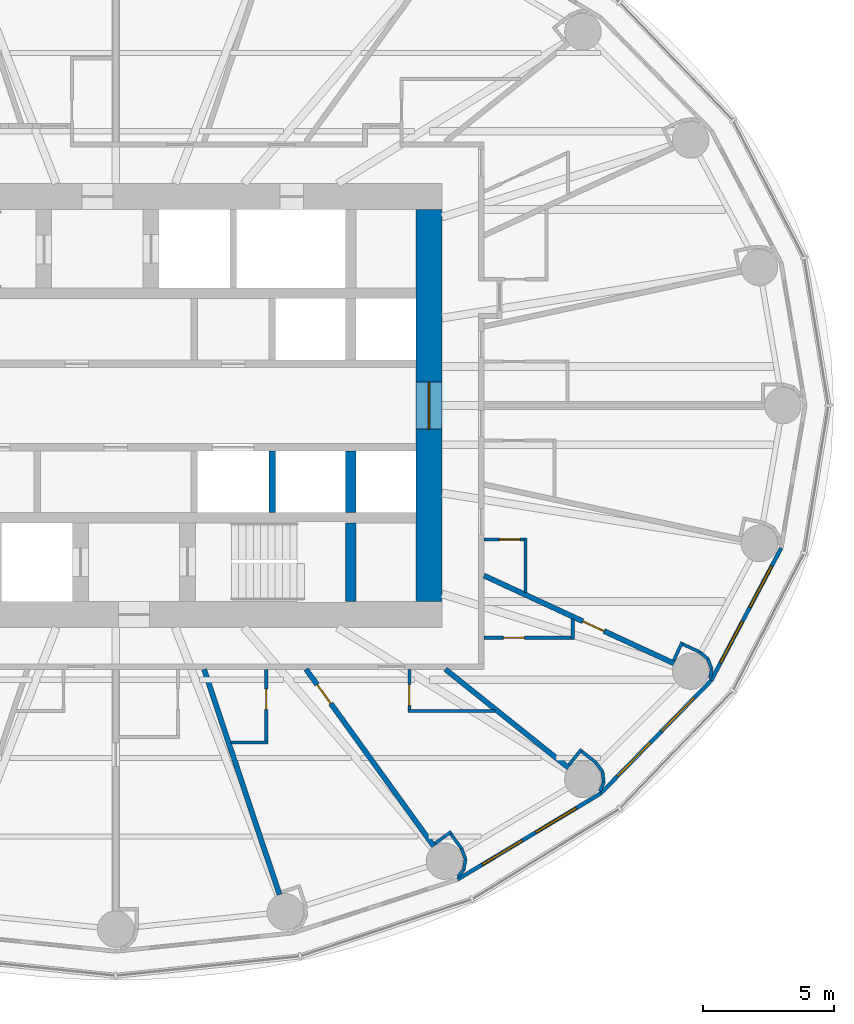
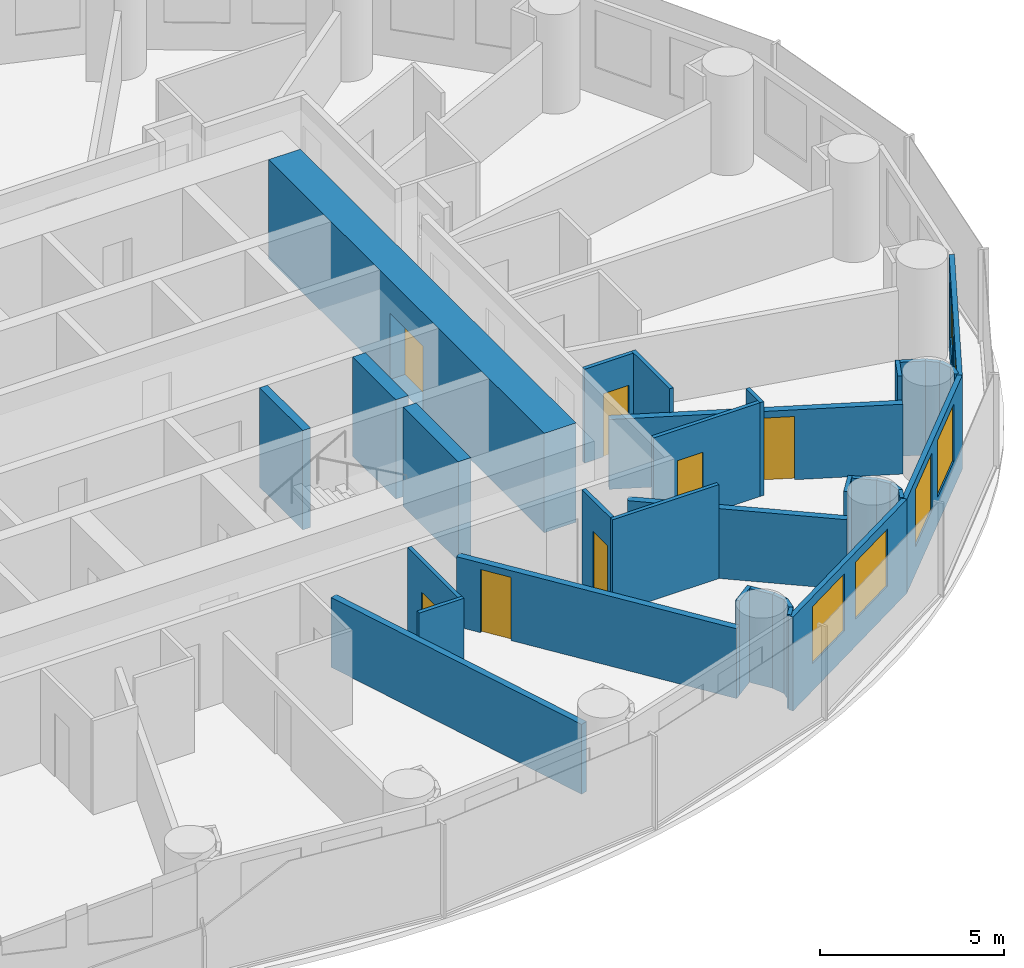
# One storey, part 10 of 16: 34 walls, 7 doors, 6 windows, 13 openings.
"""IFC4 building model written with IfcOpenShell, lengths in metres."""

import ifcopenshell
import ifcopenshell.guid

model = None  # the IFC model being written
_history = None  # IfcOwnerHistory: only IFC2X3 demands one
_inside = {}  # id of a spatial element -> (the spatial element, [elements in it])
_under = {}  # id of a project, library or spatial element -> (it, [spatial elements below it])
_declared = {}  # id of a project -> (the project, [libraries it declares])
_typed = {}  # id of a type object -> (the type object, [elements of that type])
_made_of = {}  # id of a material, layer set ... -> (it, [elements and type objects made of it])


def new_model(schema):
    """Start an empty IFC model of exactly this schema.

    Asked for "IFC4X3", IfcOpenShell would pick the latest addendum, in which some entities
    have other attributes; the version numbers below select the first issue.
    IFC2X3 requires an IfcOwnerHistory on every rooted entity: one is made here for all.
    """
    global model, _history
    if schema == "IFC4X3":
        model = ifcopenshell.file(schema_version=(4, 3, 0, 0))
    else:
        model = ifcopenshell.file(schema=schema)
    _inside.clear()
    _under.clear()
    _declared.clear()
    _typed.clear()
    _made_of.clear()
    _history = None
    if model.schema == "IFC2X3":
        org = make("IfcOrganization", Name="unknown")
        user = make(
            "IfcPersonAndOrganization",
            ThePerson=make("IfcPerson", FamilyName="unknown"),
            TheOrganization=org,
        )
        app = make(
            "IfcApplication",
            ApplicationDeveloper=org,
            Version="unknown",
            ApplicationFullName="unknown",
            ApplicationIdentifier="unknown",
        )
        _history = make(
            "IfcOwnerHistory",
            OwningUser=user,
            OwningApplication=app,
            ChangeAction="ADDED",
            CreationDate=0,
        )
    return model


def make(cls, **values):
    """One entity of the class cls with the attributes given. An attribute that is None is left unset."""
    return model.create_entity(
        cls, **{name: value for name, value in values.items() if value is not None}
    )


def rooted(cls, **values):
    """An entity with a GlobalId (a new one), such as an element, a storey or a relation."""
    return make(cls, GlobalId=ifcopenshell.guid.new(), OwnerHistory=_history, **values)


def si_unit(unit_type, name, prefix=None):
    """IfcSIUnit, for example si_unit("LENGTHUNIT", "METRE", prefix="MILLI")."""
    return make("IfcSIUnit", UnitType=unit_type, Prefix=prefix, Name=name)


def assignment(units):
    """IfcUnitAssignment: the units of a project."""
    return None if units is None else make("IfcUnitAssignment", Units=units)


def point(xyz):
    """IfcCartesianPoint."""
    return None if xyz is None else make("IfcCartesianPoint", Coordinates=xyz)


def direction(xyz):
    """IfcDirection."""
    return None if xyz is None else make("IfcDirection", DirectionRatios=xyz)


def frame(location, z_axis=None, x_axis=None):
    """IfcAxis2Placement3D, a coordinate frame: its origin and axes. An axis left out is left unset."""
    return make(
        "IfcAxis2Placement3D",
        Location=point(location),
        Axis=direction(z_axis),
        RefDirection=direction(x_axis),
    )


def frame_2d(location, x_axis=None):
    """IfcAxis2Placement2D, a coordinate frame in the plane: its origin and x axis."""
    return make(
        "IfcAxis2Placement2D", Location=point(location), RefDirection=direction(x_axis)
    )


def origin():
    """The frame at (0, 0, 0) with its axes left unset."""
    return frame((0.0, 0.0, 0.0))


def place(relative_to, where):
    """IfcLocalPlacement: puts the frame where relative to a parent placement (None: the world)."""
    return make(
        "IfcLocalPlacement", PlacementRelTo=relative_to, RelativePlacement=where
    )


def context(
    kind, dimensions, precision=None, world=None, true_north=None, identifier=None
):
    """IfcGeometricRepresentationContext, for example the 3D "Model" context."""
    return make(
        "IfcGeometricRepresentationContext",
        ContextIdentifier=identifier,
        ContextType=kind,
        CoordinateSpaceDimension=dimensions,
        Precision=precision,
        WorldCoordinateSystem=world,
        TrueNorth=true_north,
    )


def subcontext(parent, identifier, kind, view, scale=None):
    """IfcGeometricRepresentationSubContext, for example "Body" below "Model"."""
    return make(
        "IfcGeometricRepresentationSubContext",
        ContextIdentifier=identifier,
        ContextType=kind,
        ParentContext=parent,
        TargetScale=scale,
        TargetView=view,
    )


def project(units=None, contexts=None):
    """IfcProject with its units and contexts."""
    return rooted(
        "IfcProject",
        Name="project",
        RepresentationContexts=contexts,
        UnitsInContext=assignment(units),
    )


def spatial(cls, under=None, at=None, **own):
    """A site, building, storey or space (cls), placed at a placement, below another one or the project."""
    s = rooted(cls, ObjectPlacement=at, **own)
    if under is not None:
        _under.setdefault(under.id(), (under, []))[1].append(s)
    return s


def profile(cls, at=None, kind="AREA", **sizes):
    """A parametric profile (cls). Its sizes go by their IFC names, for example OverallWidth=200.0."""
    return make(cls, ProfileType=kind, Position=at, **sizes)


def rectangle(**sizes):
    """IfcRectangleProfileDef."""
    return profile("IfcRectangleProfileDef", **sizes)


def extrude(swept, where, along, depth):
    """IfcExtrudedAreaSolid: the profile swept, set in the frame where, extruded along a direction by depth."""
    return make(
        "IfcExtrudedAreaSolid",
        SweptArea=swept,
        Position=where,
        ExtrudedDirection=direction(along),
        Depth=depth,
    )


def shape(context_of_items, identifier, shape_type, items):
    """IfcShapeRepresentation: the items that make up one representation, for example the "Body"."""
    return make(
        "IfcShapeRepresentation",
        ContextOfItems=context_of_items,
        RepresentationIdentifier=identifier,
        RepresentationType=shape_type,
        Items=items,
    )


def material(Name=None, Category=None):
    """IfcMaterial."""
    return make("IfcMaterial", Name=Name, Category=Category)


def layer(
    of_material, thickness, ventilated=None, Name=None, Category=None, Priority=None
):
    """IfcMaterialLayer: one layer of a wall or slab, of a material (None: an air gap)."""
    return make(
        "IfcMaterialLayer",
        Material=of_material,
        LayerThickness=thickness,
        IsVentilated=ventilated,
        Name=Name,
        Category=Category,
        Priority=Priority,
    )


def layer_set(layers, Name=None):
    """IfcMaterialLayerSet."""
    return make("IfcMaterialLayerSet", MaterialLayers=layers, LayerSetName=Name)


def made_of(thing, what):
    """Note that an element or type object is made of a material, layer set ...; save() writes the relation."""
    if what is not None:
        _made_of.setdefault(what.id(), (what, []))[1].append(thing)
    return thing


def type_object(cls, material=None, **own):
    """A type object (cls), such as IfcWallType, which elements share."""
    return made_of(rooted(cls, **own), material)


def element(
    cls,
    number,
    at=None,
    inside=None,
    cuts=None,
    type_object=None,
    material=None,
    context=None,
    identifier="Body",
    shape_type=None,
    held_by="IfcProductDefinitionShape",
    body=None,
    shapes=None,
    **own,
):
    """One element of the class cls, such as IfcWall. Its Tag is "e" and its number.

    at: its placement. inside: the storey or other place that contains it. cuts: it is an
    opening in that element (IfcRelVoidsElement). A single representation is given by context,
    identifier, shape_type and body (its items); several are given by shapes. held_by: the class
    of the entity that holds the representations. save() writes the other relations.
    """
    e = rooted(cls, Tag="e%d" % number, ObjectPlacement=at, **own)
    if body is not None:
        shapes = [shape(context, identifier, shape_type, body)]
    if shapes is not None:
        e.Representation = make(held_by, Representations=shapes)
    if inside is not None:
        _inside.setdefault(inside.id(), (inside, []))[1].append(e)
    if cuts is not None:
        rooted(
            "IfcRelVoidsElement", RelatingBuildingElement=cuts, RelatedOpeningElement=e
        )
    if type_object is not None:
        _typed.setdefault(type_object.id(), (type_object, []))[1].append(e)
    return made_of(e, material)


def fill(opening, filler):
    """IfcRelFillsElement: the door or window that sits in an opening."""
    return rooted(
        "IfcRelFillsElement",
        RelatingOpeningElement=opening,
        RelatedBuildingElement=filler,
    )


def aggregate(whole, parts):
    """IfcRelAggregates: a whole, such as a stair, and the parts it consists of."""
    return rooted("IfcRelAggregates", RelatingObject=whole, RelatedObjects=parts)


def save(model, path):
    """Write the relations noted so far, then the file.

    IfcRelAggregates (storeys below a building ...), IfcRelContainedInSpatialStructure (elements
    in a storey), IfcRelDefinesByType, IfcRelAssociatesMaterial and IfcRelDeclares: one each for
    every whole, place, type object, material and project.
    """
    for whole, parts in _under.values():
        aggregate(whole, parts)
    for where, things in _inside.values():
        rooted(
            "IfcRelContainedInSpatialStructure",
            RelatedElements=things,
            RelatingStructure=where,
        )
    for kind, things in _typed.values():
        rooted("IfcRelDefinesByType", RelatedObjects=things, RelatingType=kind)
    for what, things in _made_of.values():
        rooted("IfcRelAssociatesMaterial", RelatedObjects=things, RelatingMaterial=what)
    for by, libraries in _declared.values():
        rooted("IfcRelDeclares", RelatingContext=by, RelatedDefinitions=libraries)
    model.write(path)


model = new_model("IFC4")

# Units and contexts
model_context = context("Model", 3, precision=1e-05, world=origin(), true_north=direction((0.0, 1.0)))
body_context = subcontext(model_context, "Body", "Model", "MODEL_VIEW")
ifc_project = project(units=[si_unit("LENGTHUNIT", "METRE"), si_unit("AREAUNIT", "SQUARE_METRE"), si_unit("VOLUMEUNIT", "CUBIC_METRE"), si_unit("PLANEANGLEUNIT", "RADIAN"), si_unit("MASSUNIT", "GRAM", prefix="KILO")], contexts=[model_context])

# Site, building, storey
site_placement = place(None, origin())
site = spatial("IfcSite", under=ifc_project, at=site_placement, CompositionType="ELEMENT")
building_placement = place(site_placement, origin())
building = spatial("IfcBuilding", under=site, at=building_placement, Name="Hankou Lantern Tower", CompositionType="ELEMENT")
storey_placement = place(building_placement, frame((0.0, 0.0, 73.800048828125)))
storey = spatial("IfcBuildingStorey", under=building, at=storey_placement, Name="L18", CompositionType="ELEMENT", Elevation=73.800048828125)

# Wall, opening, door
ifc_material_1 = material(Name="Concrete C60", Category="concrete")
ifc_layer_1 = layer(ifc_material_1, 1.0)
ifc_layer_set_1 = layer_set([ifc_layer_1], Name="Concrete C60")
wall_type_1 = type_object("IfcWallType", Name="CW1 CORE WALL 1000", PredefinedType="SHEAR", material=ifc_layer_set_1)
wall_1_placement = place(storey_placement, frame((12.0, -7.5, 0.0), z_axis=(0.0, 0.0, 1.0), x_axis=(0.0, 1.0, 0.0)))
wall_1 = element("IfcWall", 1, at=wall_1_placement, inside=storey, type_object=wall_type_1, Name="Core wall east L18", PredefinedType="SHEAR", context=body_context, shape_type="SweptSolid", body=[
    extrude(rectangle(XDim=15.0, YDim=1.0, at=frame_2d((7.5, 0.0))), origin(), (0.0, 0.0, 1.0), 3.300048828125),
])
opening_1_placement = place(wall_1_placement, frame((6.60009765625, 0.0, 0.0)))
opening_1 = element("IfcOpeningElement", 2, at=opening_1_placement, cuts=wall_1, Name="Opening D6", PredefinedType="OPENING", context=body_context, shape_type="SweptSolid", body=[
    extrude(rectangle(XDim=1.800048828125, YDim=2.199951171875, at=frame_2d((0.89990234375, 1.10009765625))), frame((0.0, 0.510009765625, 0.0), z_axis=(0.0, -1.0, 0.0), x_axis=(1.0, 0.0, 0.0)), (0.0, 0.0, 1.0), 1.02001953125),
])
ifc_material_2 = material(Name="Steel door leaf", Category="steel")
door_type_1 = type_object("IfcDoorType", Name="D6 LIFT LOBBY DOOR 1800X2200", OperationType="DOUBLE_DOOR_DOUBLE_SWING", PredefinedType="DOOR", material=ifc_material_2)
door_1_placement = place(opening_1_placement, origin())
door_1 = element("IfcDoor", 3, at=door_1_placement, inside=storey, type_object=door_type_1, Name="Lift lobby east door", OperationType="DOUBLE_DOOR_DOUBLE_SWING", OverallHeight=2.199951171875, OverallWidth=1.800048828125, PredefinedType="DOOR", context=body_context, shape_type="SweptSolid", body=[
    extrude(rectangle(XDim=1.800048828125, YDim=2.199951171875, at=frame_2d((0.89990234375, 1.10009765625))), frame((0.0, 0.02490234375, 0.0), z_axis=(0.0, -1.0, 0.0), x_axis=(1.0, 0.0, 0.0)), (0.0, 0.0, 1.0), 0.050048828125),
])
fill(opening_1, door_1)

# Walls
ifc_material_3 = material(Name="Concrete C60", Category="concrete")
ifc_layer_2 = layer(ifc_material_3, 0.39990234375)
ifc_layer_set_2 = layer_set([ifc_layer_2], Name="Concrete C60")
wall_type_2 = type_object("IfcWallType", Name="CW4 CORE CROSS WALL 400", PredefinedType="SHEAR", material=ifc_layer_set_2)
wall_2_placement = place(storey_placement, frame((9.0, -4.10009765625, 0.0), z_axis=(0.0, 0.0, 1.0), x_axis=(0.0, 1.0, 0.0)))
element("IfcWall", 4, at=wall_2_placement, inside=storey, type_object=wall_type_2, Name="Core strip wall L18", PredefinedType="SHEAR", context=body_context, shape_type="SweptSolid", body=[
    extrude(rectangle(XDim=2.35009765625, YDim=0.39990234375, at=frame_2d((1.175048828125, 0.0))), origin(), (0.0, 0.0, 1.0), 3.300048828125),
])
wall_3_placement = place(storey_placement, frame((9.0, -7.5, 0.0), z_axis=(0.0, 0.0, 1.0), x_axis=(0.0, 1.0, 0.0)))
element("IfcWall", 5, at=wall_3_placement, inside=storey, type_object=wall_type_2, Name="Core strip wall L18", PredefinedType="SHEAR", context=body_context, shape_type="SweptSolid", body=[
    extrude(rectangle(XDim=3.0, YDim=0.39990234375, at=frame_2d((1.5, 0.0))), origin(), (0.0, 0.0, 1.0), 3.300048828125),
])

# Wall, openings, windows
ifc_material_4 = material(Name="Aluminium spandrel panel on steel studs", Category="steel")
ifc_layer_3 = layer(ifc_material_4, 0.14990234375)
ifc_layer_set_3 = layer_set([ifc_layer_3], Name="Aluminium spandrel panel on steel studs")
wall_type_3 = type_object("IfcWallType", Name="EW1 INNER SKIN WALL 150", PredefinedType="ELEMENTEDWALL", material=ifc_layer_set_3)
wall_4_placement = place(storey_placement, frame((13.096435546875, -18.14697265625, 0.0), z_axis=(0.0, 0.0, 1.0), x_axis=(0.856983180864, 0.515344377787, 0.0)))
wall_4 = element("IfcWall", 6, at=wall_4_placement, inside=storey, type_object=wall_type_3, Name="Inner skin R21-R22 L18", PredefinedType="ELEMENTEDWALL", context=body_context, shape_type="SweptSolid", body=[
    extrude(rectangle(XDim=6.386474609375, YDim=0.14990234375, at=frame_2d((3.193359375, 0.0))), origin(), (0.0, 0.0, 1.0), 3.119873046875),
])
opening_2_placement = place(wall_4_placement, frame((1.09326171875, 0.0, 0.89990234375)))
opening_2 = element("IfcOpeningElement", 7, at=opening_2_placement, cuts=wall_4, Name="Opening W1", PredefinedType="OPENING", context=body_context, shape_type="SweptSolid", body=[
    extrude(rectangle(XDim=1.800048828125, YDim=1.89990234375, at=frame_2d((0.89990234375, 0.949951171875))), frame((0.0, 0.0849609375, 0.0), z_axis=(0.0, -1.0, 0.0), x_axis=(1.0, 0.0, 0.0)), (0.0, 0.0, 1.0), 0.169921875),
])
opening_3_placement = place(wall_4_placement, frame((3.4931640625, 0.0, 0.89990234375)))
opening_3 = element("IfcOpeningElement", 8, at=opening_3_placement, cuts=wall_4, Name="Opening W1", PredefinedType="OPENING", context=body_context, shape_type="SweptSolid", body=[
    extrude(rectangle(XDim=1.800048828125, YDim=1.89990234375, at=frame_2d((0.89990234375, 0.949951171875))), frame((0.0, 0.0849609375, 0.0), z_axis=(0.0, -1.0, 0.0), x_axis=(1.0, 0.0, 0.0)), (0.0, 0.0, 1.0), 0.169921875),
])
ifc_material_5 = material(Name="Aluminium framed double glazed window", Category="aluminium")
window_type = type_object("IfcWindowType", Name="W1 GUEST ROOM WINDOW 1800X1900", PartitioningType="DOUBLE_PANEL_VERTICAL", PredefinedType="WINDOW", material=ifc_material_5)
window_1_placement = place(opening_2_placement, origin())
window_1 = element("IfcWindow", 9, at=window_1_placement, inside=storey, type_object=window_type, Name="Window R21.1 L18", OverallHeight=1.89990234375, OverallWidth=1.800048828125, PartitioningType="SINGLE_PANEL", PredefinedType="WINDOW", context=body_context, shape_type="SweptSolid", body=[
    extrude(rectangle(XDim=1.800048828125, YDim=1.89990234375, at=frame_2d((0.89990234375, 0.949951171875))), frame((0.0, 0.030029296875, 0.0), z_axis=(0.0, -1.0, 0.0), x_axis=(1.0, 0.0, 0.0)), (0.0, 0.0, 1.0), 0.06005859375),
])
fill(opening_2, window_1)
window_2_placement = place(opening_3_placement, origin())
window_2 = element("IfcWindow", 10, at=window_2_placement, inside=storey, type_object=window_type, Name="Window R21.2 L18", OverallHeight=1.89990234375, OverallWidth=1.800048828125, PartitioningType="SINGLE_PANEL", PredefinedType="WINDOW", context=body_context, shape_type="SweptSolid", body=[
    extrude(rectangle(XDim=1.800048828125, YDim=1.89990234375, at=frame_2d((0.89990234375, 0.949951171875))), frame((0.0, 0.030029296875, 0.0), z_axis=(0.0, -1.0, 0.0), x_axis=(1.0, 0.0, 0.0)), (0.0, 0.0, 1.0), 0.06005859375),
])
fill(opening_3, window_2)

wall_5_placement = place(storey_placement, frame((18.569580078125, -14.855712890625, 0.0), z_axis=(0.0, 0.0, 1.0), x_axis=(0.699602905915, 0.714531856557, 0.0)))
wall_5 = element("IfcWall", 11, at=wall_5_placement, inside=storey, type_object=wall_type_3, Name="Inner skin R22-R23 L18", PredefinedType="ELEMENTEDWALL", context=body_context, shape_type="SweptSolid", body=[
    extrude(rectangle(XDim=6.05078125, YDim=0.14990234375, at=frame_2d((3.025390625, 0.0))), origin(), (0.0, 0.0, 1.0), 3.119873046875),
])
opening_4_placement = place(wall_5_placement, frame((0.925537109375, 0.0, 0.89990234375)))
opening_4 = element("IfcOpeningElement", 12, at=opening_4_placement, cuts=wall_5, Name="Opening W1", PredefinedType="OPENING", context=body_context, shape_type="SweptSolid", body=[
    extrude(rectangle(XDim=1.800048828125, YDim=1.89990234375, at=frame_2d((0.89990234375, 0.949951171875))), frame((0.0, 0.0849609375, 0.0), z_axis=(0.0, -1.0, 0.0), x_axis=(1.0, 0.0, 0.0)), (0.0, 0.0, 1.0), 0.169921875),
])
opening_5_placement = place(wall_5_placement, frame((3.325439453125, 0.0, 0.89990234375)))
opening_5 = element("IfcOpeningElement", 13, at=opening_5_placement, cuts=wall_5, Name="Opening W1", PredefinedType="OPENING", context=body_context, shape_type="SweptSolid", body=[
    extrude(rectangle(XDim=1.800048828125, YDim=1.89990234375, at=frame_2d((0.89990234375, 0.949951171875))), frame((0.0, 0.0849609375, 0.0), z_axis=(0.0, -1.0, 0.0), x_axis=(1.0, 0.0, 0.0)), (0.0, 0.0, 1.0), 0.169921875),
])
window_3_placement = place(opening_4_placement, origin())
window_3 = element("IfcWindow", 14, at=window_3_placement, inside=storey, type_object=window_type, Name="Window R22.1 L18", OverallHeight=1.89990234375, OverallWidth=1.800048828125, PartitioningType="SINGLE_PANEL", PredefinedType="WINDOW", context=body_context, shape_type="SweptSolid", body=[
    extrude(rectangle(XDim=1.800048828125, YDim=1.89990234375, at=frame_2d((0.89990234375, 0.949951171875))), frame((0.0, 0.030029296875, 0.0), z_axis=(0.0, -1.0, 0.0), x_axis=(1.0, 0.0, 0.0)), (0.0, 0.0, 1.0), 0.06005859375),
])
fill(opening_4, window_3)
window_4_placement = place(opening_5_placement, origin())
window_4 = element("IfcWindow", 15, at=window_4_placement, inside=storey, type_object=window_type, Name="Window R22.2 L18", OverallHeight=1.89990234375, OverallWidth=1.800048828125, PartitioningType="SINGLE_PANEL", PredefinedType="WINDOW", context=body_context, shape_type="SweptSolid", body=[
    extrude(rectangle(XDim=1.800048828125, YDim=1.89990234375, at=frame_2d((0.89990234375, 0.949951171875))), frame((0.0, 0.030029296875, 0.0), z_axis=(0.0, -1.0, 0.0), x_axis=(1.0, 0.0, 0.0)), (0.0, 0.0, 1.0), 0.06005859375),
])
fill(opening_5, window_4)

wall_6_placement = place(storey_placement, frame((22.802734375, -10.5322265625, 0.0), z_axis=(0.0, 0.0, 1.0), x_axis=(0.467296867008, 0.884100468321, 0.0)))
wall_6 = element("IfcWall", 16, at=wall_6_placement, inside=storey, type_object=wall_type_3, Name="Inner skin R23-R24 L18", PredefinedType="ELEMENTEDWALL", context=body_context, shape_type="SweptSolid", body=[
    extrude(rectangle(XDim=5.734375, YDim=0.14990234375, at=frame_2d((2.8671875, 0.0))), origin(), (0.0, 0.0, 1.0), 3.119873046875),
])
opening_6_placement = place(wall_6_placement, frame((0.76708984375, 0.0, 0.89990234375)))
opening_6 = element("IfcOpeningElement", 17, at=opening_6_placement, cuts=wall_6, Name="Opening W1", PredefinedType="OPENING", context=body_context, shape_type="SweptSolid", body=[
    extrude(rectangle(XDim=1.800048828125, YDim=1.89990234375, at=frame_2d((0.89990234375, 0.949951171875))), frame((0.0, 0.0849609375, 0.0), z_axis=(0.0, -1.0, 0.0), x_axis=(1.0, 0.0, 0.0)), (0.0, 0.0, 1.0), 0.169921875),
])
opening_7_placement = place(wall_6_placement, frame((3.167236328125, 0.0, 0.89990234375)))
opening_7 = element("IfcOpeningElement", 18, at=opening_7_placement, cuts=wall_6, Name="Opening W1", PredefinedType="OPENING", context=body_context, shape_type="SweptSolid", body=[
    extrude(rectangle(XDim=1.800048828125, YDim=1.89990234375, at=frame_2d((0.89990234375, 0.949951171875))), frame((0.0, 0.0849609375, 0.0), z_axis=(0.0, -1.0, 0.0), x_axis=(1.0, 0.0, 0.0)), (0.0, 0.0, 1.0), 0.169921875),
])
window_5_placement = place(opening_6_placement, origin())
window_5 = element("IfcWindow", 19, at=window_5_placement, inside=storey, type_object=window_type, Name="Window R23.1 L18", OverallHeight=1.89990234375, OverallWidth=1.800048828125, PartitioningType="SINGLE_PANEL", PredefinedType="WINDOW", context=body_context, shape_type="SweptSolid", body=[
    extrude(rectangle(XDim=1.800048828125, YDim=1.89990234375, at=frame_2d((0.89990234375, 0.949951171875))), frame((0.0, 0.030029296875, 0.0), z_axis=(0.0, -1.0, 0.0), x_axis=(1.0, 0.0, 0.0)), (0.0, 0.0, 1.0), 0.06005859375),
])
fill(opening_6, window_5)
window_6_placement = place(opening_7_placement, origin())
window_6 = element("IfcWindow", 20, at=window_6_placement, inside=storey, type_object=window_type, Name="Window R23.2 L18", OverallHeight=1.89990234375, OverallWidth=1.800048828125, PartitioningType="SINGLE_PANEL", PredefinedType="WINDOW", context=body_context, shape_type="SweptSolid", body=[
    extrude(rectangle(XDim=1.800048828125, YDim=1.89990234375, at=frame_2d((0.89990234375, 0.949951171875))), frame((0.0, 0.030029296875, 0.0), z_axis=(0.0, -1.0, 0.0), x_axis=(1.0, 0.0, 0.0)), (0.0, 0.0, 1.0), 0.06005859375),
])
fill(opening_7, window_6)

# Walls
ifc_material_6 = material(Name="Masonry lightweight concrete block", Category="masonry")
ifc_layer_4 = layer(ifc_material_6, 0.199951171875)
ifc_layer_set_4 = layer_set([ifc_layer_4], Name="Masonry lightweight concrete block")
wall_type_4 = type_object("IfcWallType", Name="IW1 GUEST ROOM PARTY WALL 200", PredefinedType="PARTITIONING", material=ifc_layer_set_4)
wall_7_placement = place(storey_placement, frame((3.3828125, -10.10009765625, 0.0), z_axis=(0.0, 0.0, 1.0), x_axis=(0.31759592231, -0.948226149256, 0.0)))
element("IfcWall", 21, at=wall_7_placement, inside=storey, type_object=wall_type_4, Name="Party wall R20", PredefinedType="PARTITIONING", context=body_context, shape_type="SweptSolid", body=[
    extrude(rectangle(XDim=9.098388671875, YDim=0.199951171875, at=frame_2d((4.54931640625, 0.0))), origin(), (0.0, 0.0, 1.0), 2.320068359375),
])
wall_8_placement = place(storey_placement, frame((12.625, -10.10009765625, 0.0), z_axis=(0.0, 0.0, 1.0), x_axis=(0.780892451574, -0.624665493744, 0.0)))
element("IfcWall", 22, at=wall_8_placement, inside=storey, type_object=wall_type_4, Name="Party wall R22", PredefinedType="PARTITIONING", context=body_context, shape_type="SweptSolid", body=[
    extrude(rectangle(XDim=6.044677734375, YDim=0.199951171875, at=frame_2d((3.0224609375, 0.0))), origin(), (0.0, 0.0, 1.0), 2.320068359375),
])
ifc_material_7 = material(Name="Masonry lightweight concrete block", Category="masonry")
ifc_layer_5 = layer(ifc_material_7, 0.1201171875)
ifc_layer_set_5 = layer_set([ifc_layer_5], Name="Masonry lightweight concrete block")
wall_type_5 = type_object("IfcWallType", Name="IW3 BATHROOM WALL 120", PredefinedType="PARTITIONING", material=ifc_layer_set_5)
wall_9_placement = place(storey_placement, frame((4.420654296875, -12.89990234375, 0.0), z_axis=(0.0, 0.0, 1.0), x_axis=(1.0, 0.0, 0.0)))
element("IfcWall", 23, at=wall_9_placement, inside=storey, type_object=wall_type_5, Name="Box wall 1803A 1", PredefinedType="PARTITIONING", context=body_context, shape_type="SweptSolid", body=[
    extrude(rectangle(XDim=1.402099609375, YDim=0.1201171875, at=frame_2d((0.701171875, 0.0))), origin(), (0.0, 0.0, 1.0), 3.119873046875),
])

# Wall, opening, door
wall_10_placement = place(storey_placement, frame((5.762939453125, -10.10009765625, 0.0), z_axis=(0.0, 0.0, 1.0), x_axis=(0.0, -1.0, 0.0)))
wall_10 = element("IfcWall", 24, at=wall_10_placement, inside=storey, type_object=wall_type_5, Name="Box wall 1803A 1", PredefinedType="PARTITIONING", context=body_context, shape_type="SweptSolid", body=[
    extrude(rectangle(XDim=2.739990234375, YDim=0.1201171875, at=frame_2d((1.3701171875, 0.0))), origin(), (0.0, 0.0, 1.0), 3.119873046875),
])
opening_8_placement = place(wall_10_placement, frame((0.75, 0.0, 0.0)))
opening_8 = element("IfcOpeningElement", 25, at=opening_8_placement, cuts=wall_10, Name="Opening D3", PredefinedType="OPENING", context=body_context, shape_type="SweptSolid", body=[
    extrude(rectangle(XDim=0.800048828125, YDim=2.10009765625, at=frame_2d((0.39990234375, 1.050048828125))), frame((0.0, 0.070068359375, 0.0), z_axis=(0.0, -1.0, 0.0), x_axis=(1.0, 0.0, 0.0)), (0.0, 0.0, 1.0), 0.14013671875),
])
ifc_material_8 = material(Name="Timber door leaf", Category="wood")
door_type_2 = type_object("IfcDoorType", Name="D3 BATHROOM DOOR 800X2100", OperationType="SINGLE_SWING_LEFT", PredefinedType="DOOR", material=ifc_material_8)
door_2_placement = place(opening_8_placement, origin())
door_2 = element("IfcDoor", 26, at=door_2_placement, inside=storey, type_object=door_type_2, Name="Suite 1803 bathroom door", OperationType="SINGLE_SWING_LEFT", OverallHeight=2.10009765625, OverallWidth=0.800048828125, PredefinedType="DOOR", context=body_context, shape_type="SweptSolid", body=[
    extrude(rectangle(XDim=0.800048828125, YDim=2.10009765625, at=frame_2d((0.39990234375, 1.050048828125))), frame((0.0, 0.02490234375, 0.0), z_axis=(0.0, -1.0, 0.0), x_axis=(1.0, 0.0, 0.0)), (0.0, 0.0, 1.0), 0.050048828125),
])
fill(opening_8, door_2)

# Wall
wall_11_placement = place(storey_placement, frame((14.52490234375, -11.699951171875, 0.0), z_axis=(0.0, 0.0, 1.0), x_axis=(-1.0, 0.0, 0.0)))
element("IfcWall", 27, at=wall_11_placement, inside=storey, type_object=wall_type_5, Name="Box wall 1803C 1", PredefinedType="PARTITIONING", context=body_context, shape_type="SweptSolid", body=[
    extrude(rectangle(XDim=3.33984375, YDim=0.1201171875, at=frame_2d((1.669921875, 0.0))), origin(), (0.0, 0.0, 1.0), 3.119873046875),
])

# Wall, opening, door
wall_12_placement = place(storey_placement, frame((11.2451171875, -10.10009765625, 0.0), z_axis=(0.0, 0.0, 1.0), x_axis=(0.0, -1.0, 0.0)))
wall_12 = element("IfcWall", 28, at=wall_12_placement, inside=storey, type_object=wall_type_5, Name="Box wall 1803C 1", PredefinedType="PARTITIONING", context=body_context, shape_type="SweptSolid", body=[
    extrude(rectangle(XDim=1.539794921875, YDim=0.1201171875, at=frame_2d((0.77001953125, 0.0))), origin(), (0.0, 0.0, 1.0), 3.119873046875),
])
opening_9_placement = place(wall_12_placement, frame((0.590087890625, 0.0, 0.0)))
opening_9 = element("IfcOpeningElement", 29, at=opening_9_placement, cuts=wall_12, Name="Opening D3", PredefinedType="OPENING", context=body_context, shape_type="SweptSolid", body=[
    extrude(rectangle(XDim=0.800048828125, YDim=2.10009765625, at=frame_2d((0.39990234375, 1.050048828125))), frame((0.0, 0.070068359375, 0.0), z_axis=(0.0, -1.0, 0.0), x_axis=(1.0, 0.0, 0.0)), (0.0, 0.0, 1.0), 0.14013671875),
])
door_3_placement = place(opening_9_placement, origin())
door_3 = element("IfcDoor", 30, at=door_3_placement, inside=storey, type_object=door_type_2, Name="Suite 1803 guest WC door", OperationType="SINGLE_SWING_RIGHT", OverallHeight=2.10009765625, OverallWidth=0.800048828125, PredefinedType="DOOR", context=body_context, shape_type="SweptSolid", body=[
    extrude(rectangle(XDim=0.800048828125, YDim=2.10009765625, at=frame_2d((0.39990234375, 1.050048828125))), frame((0.0, 0.02490234375, 0.0), z_axis=(0.0, -1.0, 0.0), x_axis=(1.0, 0.0, 0.0)), (0.0, 0.0, 1.0), 0.050048828125),
])
fill(opening_9, door_3)

# Wall
wall_13_placement = place(storey_placement, frame((17.5, -8.182861328125, 0.0), z_axis=(0.0, 0.0, 1.0), x_axis=(0.0, -1.0, 0.0)))
element("IfcWall", 31, at=wall_13_placement, inside=storey, type_object=wall_type_5, Name="Box wall 1804A 1", PredefinedType="PARTITIONING", context=body_context, shape_type="SweptSolid", body=[
    extrude(rectangle(XDim=0.76953125, YDim=0.1201171875, at=frame_2d((0.384765625, 0.0))), origin(), (0.0, 0.0, 1.0), 3.119873046875),
])

# Wall, opening, door
wall_14_placement = place(storey_placement, frame((14.10009765625, -8.892578125, 0.0), z_axis=(0.0, 0.0, 1.0), x_axis=(1.0, 0.0, 0.0)))
wall_14 = element("IfcWall", 32, at=wall_14_placement, inside=storey, type_object=wall_type_5, Name="Box wall 1804A 1", PredefinedType="PARTITIONING", context=body_context, shape_type="SweptSolid", body=[
    extrude(rectangle(XDim=3.33984375, YDim=0.1201171875, at=frame_2d((1.669921875, 0.0))), origin(), (0.0, 0.0, 1.0), 3.119873046875),
])
opening_10_placement = place(wall_14_placement, frame((0.75, 0.0, 0.0)))
opening_10 = element("IfcOpeningElement", 33, at=opening_10_placement, cuts=wall_14, Name="Opening D3", PredefinedType="OPENING", context=body_context, shape_type="SweptSolid", body=[
    extrude(rectangle(XDim=0.800048828125, YDim=2.10009765625, at=frame_2d((0.39990234375, 1.050048828125))), frame((0.0, 0.070068359375, 0.0), z_axis=(0.0, -1.0, 0.0), x_axis=(1.0, 0.0, 0.0)), (0.0, 0.0, 1.0), 0.14013671875),
])
door_4_placement = place(opening_10_placement, origin())
door_4 = element("IfcDoor", 34, at=door_4_placement, inside=storey, type_object=door_type_2, Name="Suite 1804 bathroom door", OperationType="SINGLE_SWING_LEFT", OverallHeight=2.10009765625, OverallWidth=0.800048828125, PredefinedType="DOOR", context=body_context, shape_type="SweptSolid", body=[
    extrude(rectangle(XDim=0.800048828125, YDim=2.10009765625, at=frame_2d((0.39990234375, 1.050048828125))), frame((0.0, 0.02490234375, 0.0), z_axis=(0.0, -1.0, 0.0), x_axis=(1.0, 0.0, 0.0)), (0.0, 0.0, 1.0), 0.050048828125),
])
fill(opening_10, door_4)

# Wall
wall_15_placement = place(storey_placement, frame((15.699951171875, -7.151611328125, 0.0), z_axis=(0.0, 0.0, 1.0), x_axis=(0.0, 1.0, 0.0)))
element("IfcWall", 35, at=wall_15_placement, inside=storey, type_object=wall_type_5, Name="Box wall 1804C 1", PredefinedType="PARTITIONING", context=body_context, shape_type="SweptSolid", body=[
    extrude(rectangle(XDim=2.0791015625, YDim=0.1201171875, at=frame_2d((1.03955078125, 0.0))), origin(), (0.0, 0.0, 1.0), 3.119873046875),
])

# Wall, opening, door
wall_16_placement = place(storey_placement, frame((14.10009765625, -5.132568359375, 0.0), z_axis=(0.0, 0.0, 1.0), x_axis=(1.0, 0.0, 0.0)))
wall_16 = element("IfcWall", 36, at=wall_16_placement, inside=storey, type_object=wall_type_5, Name="Box wall 1804C 1", PredefinedType="PARTITIONING", context=body_context, shape_type="SweptSolid", body=[
    extrude(rectangle(XDim=1.539794921875, YDim=0.1201171875, at=frame_2d((0.77001953125, 0.0))), origin(), (0.0, 0.0, 1.0), 3.119873046875),
])
opening_11_placement = place(wall_16_placement, frame((0.590087890625, 0.0, 0.0)))
opening_11 = element("IfcOpeningElement", 37, at=opening_11_placement, cuts=wall_16, Name="Opening D3", PredefinedType="OPENING", context=body_context, shape_type="SweptSolid", body=[
    extrude(rectangle(XDim=0.800048828125, YDim=2.10009765625, at=frame_2d((0.39990234375, 1.050048828125))), frame((0.0, 0.070068359375, 0.0), z_axis=(0.0, -1.0, 0.0), x_axis=(1.0, 0.0, 0.0)), (0.0, 0.0, 1.0), 0.14013671875),
])
door_5_placement = place(opening_11_placement, origin())
door_5 = element("IfcDoor", 38, at=door_5_placement, inside=storey, type_object=door_type_2, Name="Suite 1804 guest WC door", OperationType="SINGLE_SWING_LEFT", OverallHeight=2.10009765625, OverallWidth=0.800048828125, PredefinedType="DOOR", context=body_context, shape_type="SweptSolid", body=[
    extrude(rectangle(XDim=0.800048828125, YDim=2.10009765625, at=frame_2d((0.39990234375, 1.050048828125))), frame((0.0, 0.02490234375, 0.0), z_axis=(0.0, -1.0, 0.0), x_axis=(1.0, 0.0, 0.0)), (0.0, 0.0, 1.0), 0.050048828125),
])
fill(opening_11, door_5)

# Walls
ifc_material_9 = material(Name="Masonry lightweight concrete block", Category="masonry")
ifc_layer_6 = layer(ifc_material_9, 0.1201171875)
ifc_layer_set_6 = layer_set([ifc_layer_6], Name="Masonry lightweight concrete block")
wall_type_6 = type_object("IfcWallType", Name="IW4 PARTITION 120", PredefinedType="PARTITIONING", material=ifc_layer_set_6)
wall_17_placement = place(storey_placement, frame((12.227294921875, -16.771728515625, 0.0), z_axis=(0.0, 0.0, 1.0), x_axis=(0.810821798253, 0.585293098778, 0.0)))
element("IfcWall", 39, at=wall_17_placement, inside=storey, type_object=wall_type_6, Name="Column casing R21 return", PredefinedType="PARTITIONING", context=body_context, shape_type="SweptSolid", body=[
    extrude(rectangle(XDim=0.767578125, YDim=0.1201171875, at=frame_2d((0.3837890625, 0.0))), origin(), (0.0, 0.0, 1.0), 3.119873046875),
])
wall_18_placement = place(storey_placement, frame((12.8359375, -16.40625, 0.0), z_axis=(0.0, 0.0, 1.0), x_axis=(0.585223113993, -0.810872312296, 0.0)))
element("IfcWall", 40, at=wall_18_placement, inside=storey, type_object=wall_type_6, Name="Column casing R21", PredefinedType="PARTITIONING", context=body_context, shape_type="SweptSolid", body=[
    extrude(rectangle(XDim=0.699951171875, YDim=0.1201171875, at=frame_2d((0.35009765625, 0.0))), origin(), (0.0, 0.0, 1.0), 3.119873046875),
])
wall_19_placement = place(storey_placement, frame((13.24560546875, -16.973876953125, 0.0), z_axis=(0.0, 0.0, 1.0), x_axis=(0.355728122235, -0.934589483705, 0.0)))
element("IfcWall", 41, at=wall_19_placement, inside=storey, type_object=wall_type_6, Name="Column casing R21", PredefinedType="PARTITIONING", context=body_context, shape_type="SweptSolid", body=[
    extrude(rectangle(XDim=0.41796875, YDim=0.1201171875, at=frame_2d((0.208984375, 0.0))), origin(), (0.0, 0.0, 1.0), 3.119873046875),
])
wall_20_placement = place(storey_placement, frame((13.394287109375, -17.364501953125, 0.0), z_axis=(0.0, 0.0, 1.0), x_axis=(-0.159379276926, -0.987217425943, 0.0)))
element("IfcWall", 42, at=wall_20_placement, inside=storey, type_object=wall_type_6, Name="Column casing R21", PredefinedType="PARTITIONING", context=body_context, shape_type="SweptSolid", body=[
    extrude(rectangle(XDim=0.418212890625, YDim=0.1201171875, at=frame_2d((0.208984375, 0.0))), origin(), (0.0, 0.0, 1.0), 3.119873046875),
])
wall_21_placement = place(storey_placement, frame((13.32763671875, -17.77734375, 0.0), z_axis=(0.0, 0.0, 1.0), x_axis=(-0.632276783541, -0.774742582407, 0.0)))
element("IfcWall", 43, at=wall_21_placement, inside=storey, type_object=wall_type_6, Name="Column casing R21", PredefinedType="PARTITIONING", context=body_context, shape_type="SweptSolid", body=[
    extrude(rectangle(XDim=0.35986328125, YDim=0.1201171875, at=frame_2d((0.179931640625, 0.0))), origin(), (0.0, 0.0, 1.0), 3.119873046875),
])
wall_22_placement = place(storey_placement, frame((17.36083984375, -13.760498046875, 0.0), z_axis=(0.0, 0.0, 1.0), x_axis=(0.624501042889, 0.781023973659, 0.0)))
element("IfcWall", 44, at=wall_22_placement, inside=storey, type_object=wall_type_6, Name="Column casing R22 return", PredefinedType="PARTITIONING", context=body_context, shape_type="SweptSolid", body=[
    extrude(rectangle(XDim=0.767333984375, YDim=0.1201171875, at=frame_2d((0.3837890625, 0.0))), origin(), (0.0, 0.0, 1.0), 3.119873046875),
])
wall_23_placement = place(storey_placement, frame((17.849609375, -13.24560546875, 0.0), z_axis=(0.0, 0.0, 1.0), x_axis=(0.780902834923, -0.62465251333, 0.0)))
element("IfcWall", 45, at=wall_23_placement, inside=storey, type_object=wall_type_6, Name="Column casing R22", PredefinedType="PARTITIONING", context=body_context, shape_type="SweptSolid", body=[
    extrude(rectangle(XDim=0.699951171875, YDim=0.1201171875, at=frame_2d((0.35009765625, 0.0))), origin(), (0.0, 0.0, 1.0), 3.119873046875),
])
for number, where, z_axis, x_axis, name in (
    (46, (18.396240234375, -13.682861328125, 0.0), (0.0, 0.0, 1.0), (0.592401603461, -0.805642811807, 0.0), "Column casing R22"),
    (47, (18.643798828125, -14.01953125, 0.0), (0.0, 0.0, 1.0), (0.110367433259, -0.993890854006, 0.0), "Column casing R22"),
):
    element("IfcWall", number, at=place(storey_placement, frame(where, z_axis=z_axis, x_axis=x_axis)), inside=storey, type_object=wall_type_6, Name=name, PredefinedType="PARTITIONING", context=body_context, shape_type="SweptSolid", body=[
        extrude(rectangle(XDim=0.41796875, YDim=0.1201171875, at=frame_2d((0.208984375, 0.0))), origin(), (0.0, 0.0, 1.0), 3.119873046875),
    ])
wall_24_placement = place(storey_placement, frame((18.68994140625, -14.43505859375, 0.0), z_axis=(0.0, 0.0, 1.0), x_axis=(-0.401093412634, -0.91603715773, 0.0)))
element("IfcWall", 48, at=wall_24_placement, inside=storey, type_object=wall_type_6, Name="Column casing R22", PredefinedType="PARTITIONING", context=body_context, shape_type="SweptSolid", body=[
    extrude(rectangle(XDim=0.373046875, YDim=0.1201171875, at=frame_2d((0.1865234375, 0.0))), origin(), (0.0, 0.0, 1.0), 3.119873046875),
])
wall_25_placement = place(storey_placement, frame((21.37109375, -9.7607421875, 0.0), z_axis=(0.0, 0.0, 1.0), x_axis=(0.419259891039, 0.907866258744, 0.0)))
element("IfcWall", 49, at=wall_25_placement, inside=storey, type_object=wall_type_6, Name="Column casing R23 return", PredefinedType="PARTITIONING", context=body_context, shape_type="SweptSolid", body=[
    extrude(rectangle(XDim=0.767578125, YDim=0.1201171875, at=frame_2d((0.3837890625, 0.0))), origin(), (0.0, 0.0, 1.0), 3.119873046875),
])
wall_26_placement = place(storey_placement, frame((21.72216796875, -9.1435546875, 0.0), z_axis=(0.0, 0.0, 1.0), x_axis=(0.907877701396, -0.419235112208, 0.0)))
element("IfcWall", 50, at=wall_26_placement, inside=storey, type_object=wall_type_6, Name="Column casing R23", PredefinedType="PARTITIONING", context=body_context, shape_type="SweptSolid", body=[
    extrude(rectangle(XDim=0.699951171875, YDim=0.1201171875, at=frame_2d((0.35009765625, 0.0))), origin(), (0.0, 0.0, 1.0), 3.119873046875),
])
wall_27_placement = place(storey_placement, frame((22.357666015625, -9.43701171875, 0.0), z_axis=(0.0, 0.0, 1.0), x_axis=(0.768412687942, -0.639954639806, 0.0)))
element("IfcWall", 51, at=wall_27_placement, inside=storey, type_object=wall_type_6, Name="Column casing R23", PredefinedType="PARTITIONING", context=body_context, shape_type="SweptSolid", body=[
    extrude(rectangle(XDim=0.418212890625, YDim=0.1201171875, at=frame_2d((0.208984375, 0.0))), origin(), (0.0, 0.0, 1.0), 3.119873046875),
])
wall_28_placement = place(storey_placement, frame((22.678955078125, -9.70458984375, 0.0), z_axis=(0.0, 0.0, 1.0), x_axis=(0.345164001646, -0.938542386879, 0.0)))
element("IfcWall", 52, at=wall_28_placement, inside=storey, type_object=wall_type_6, Name="Column casing R23", PredefinedType="PARTITIONING", context=body_context, shape_type="SweptSolid", body=[
    extrude(rectangle(XDim=0.41796875, YDim=0.1201171875, at=frame_2d((0.208984375, 0.0))), origin(), (0.0, 0.0, 1.0), 3.119873046875),
])
wall_29_placement = place(storey_placement, frame((22.8232421875, -10.096923828125, 0.0), z_axis=(0.0, 0.0, 1.0), x_axis=(-0.169674995186, -0.985500074079, 0.0)))
element("IfcWall", 53, at=wall_29_placement, inside=storey, type_object=wall_type_6, Name="Column casing R23", PredefinedType="PARTITIONING", context=body_context, shape_type="SweptSolid", body=[
    extrude(rectangle(XDim=0.3525390625, YDim=0.1201171875, at=frame_2d((0.17626953125, 0.0))), origin(), (0.0, 0.0, 1.0), 3.119873046875),
])

# Wall, opening, door
ifc_material_10 = material(Name="Masonry lightweight concrete block", Category="masonry")
ifc_layer_7 = layer(ifc_material_10, 0.199951171875)
ifc_layer_set_7 = layer_set([ifc_layer_7], Name="Masonry lightweight concrete block")
wall_type_7 = type_object("IfcWallType", Name="IW6 SUITE PARTITION 200", PredefinedType="PARTITIONING", material=ifc_layer_set_7)
wall_30_placement = place(storey_placement, frame((7.2890625, -10.10009765625, 0.0), z_axis=(0.0, 0.0, 1.0), x_axis=(0.585198353053, -0.810890182197, 0.0)))
wall_30 = element("IfcWall", 54, at=wall_30_placement, inside=storey, type_object=wall_type_7, Name="Suite partition R21", PredefinedType="PARTITIONING", context=body_context, shape_type="SweptSolid", body=[
    extrude(rectangle(XDim=8.359619140625, YDim=0.199951171875, at=frame_2d((4.1796875, 0.0))), origin(), (0.0, 0.0, 1.0), 2.320068359375),
])
opening_12_placement = place(wall_30_placement, frame((0.719970703125, 0.0, 0.0)))
opening_12 = element("IfcOpeningElement", 55, at=opening_12_placement, cuts=wall_30, Name="Opening D27", PredefinedType="OPENING", context=body_context, shape_type="SweptSolid", body=[
    extrude(rectangle(XDim=0.89990234375, YDim=2.10009765625, at=frame_2d((0.449951171875, 1.050048828125))), frame((0.0, 0.10986328125, 0.0), z_axis=(0.0, -1.0, 0.0), x_axis=(1.0, 0.0, 0.0)), (0.0, 0.0, 1.0), 0.219970703125),
])
ifc_material_11 = material(Name="Timber door leaf", Category="wood")
door_type_3 = type_object("IfcDoorType", Name="D27 INTERNAL DOOR 900X2100", OperationType="SINGLE_SWING_LEFT", PredefinedType="DOOR", material=ifc_material_11)
door_6_placement = place(opening_12_placement, origin())
door_6 = element("IfcDoor", 56, at=door_6_placement, inside=storey, type_object=door_type_3, Name="Suite 1803 living room door", OperationType="SINGLE_SWING_LEFT", OverallHeight=2.10009765625, OverallWidth=0.89990234375, PredefinedType="DOOR", context=body_context, shape_type="SweptSolid", body=[
    extrude(rectangle(XDim=0.89990234375, YDim=2.10009765625, at=frame_2d((0.449951171875, 1.050048828125))), frame((0.0, 0.02490234375, 0.0), z_axis=(0.0, -1.0, 0.0), x_axis=(1.0, 0.0, 0.0)), (0.0, 0.0, 1.0), 0.050048828125),
])
fill(opening_12, door_6)

wall_31_placement = place(storey_placement, frame((14.10009765625, -6.512451171875, 0.0), z_axis=(0.0, 0.0, 1.0), x_axis=(0.907832871056, -0.419332181247, 0.0)))
wall_31 = element("IfcWall", 57, at=wall_31_placement, inside=storey, type_object=wall_type_7, Name="Suite partition R23", PredefinedType="PARTITIONING", context=body_context, shape_type="SweptSolid", body=[
    extrude(rectangle(XDim=8.02294921875, YDim=0.199951171875, at=frame_2d((4.011474609375, 0.0))), origin(), (0.0, 0.0, 1.0), 2.320068359375),
])
opening_13_placement = place(wall_31_placement, frame((4.169921875, 0.0, 0.0)))
opening_13 = element("IfcOpeningElement", 58, at=opening_13_placement, cuts=wall_31, Name="Opening D27", PredefinedType="OPENING", context=body_context, shape_type="SweptSolid", body=[
    extrude(rectangle(XDim=0.89990234375, YDim=2.10009765625, at=frame_2d((0.449951171875, 1.050048828125))), frame((0.0, 0.10986328125, 0.0), z_axis=(0.0, -1.0, 0.0), x_axis=(1.0, 0.0, 0.0)), (0.0, 0.0, 1.0), 0.219970703125),
])
door_7_placement = place(opening_13_placement, origin())
door_7 = element("IfcDoor", 59, at=door_7_placement, inside=storey, type_object=door_type_3, Name="Suite 1804 living room door", OperationType="SINGLE_SWING_LEFT", OverallHeight=2.10009765625, OverallWidth=0.89990234375, PredefinedType="DOOR", context=body_context, shape_type="SweptSolid", body=[
    extrude(rectangle(XDim=0.89990234375, YDim=2.10009765625, at=frame_2d((0.449951171875, 1.050048828125))), frame((0.0, 0.02490234375, 0.0), z_axis=(0.0, -1.0, 0.0), x_axis=(1.0, 0.0, 0.0)), (0.0, 0.0, 1.0), 0.050048828125),
])
fill(opening_13, door_7)

# Wall
ifc_material_12 = material(Name="Masonry autoclaved aerated concrete block", Category="masonry")
ifc_layer_8 = layer(ifc_material_12, 0.25)
ifc_layer_set_8 = layer_set([ifc_layer_8], Name="Masonry autoclaved aerated concrete block")
wall_type_8 = type_object("IfcWallType", Name="SW1 SHAFT BLOCK WALL 250", PredefinedType="PARTITIONING", material=ifc_layer_set_8)
wall_32_placement = place(storey_placement, frame((6.0, -4.10009765625, 0.0), z_axis=(0.0, 0.0, 1.0), x_axis=(0.0, 1.0, 0.0)))
element("IfcWall", 60, at=wall_32_placement, inside=storey, type_object=wall_type_8, Name="Lift shaft wall L18", PredefinedType="PARTITIONING", context=body_context, shape_type="SweptSolid", body=[
    extrude(rectangle(XDim=2.35009765625, YDim=0.25, at=frame_2d((1.175048828125, 0.0))), origin(), (0.0, 0.0, 1.0), 3.300048828125),
])

save(model, "model.ifc")
